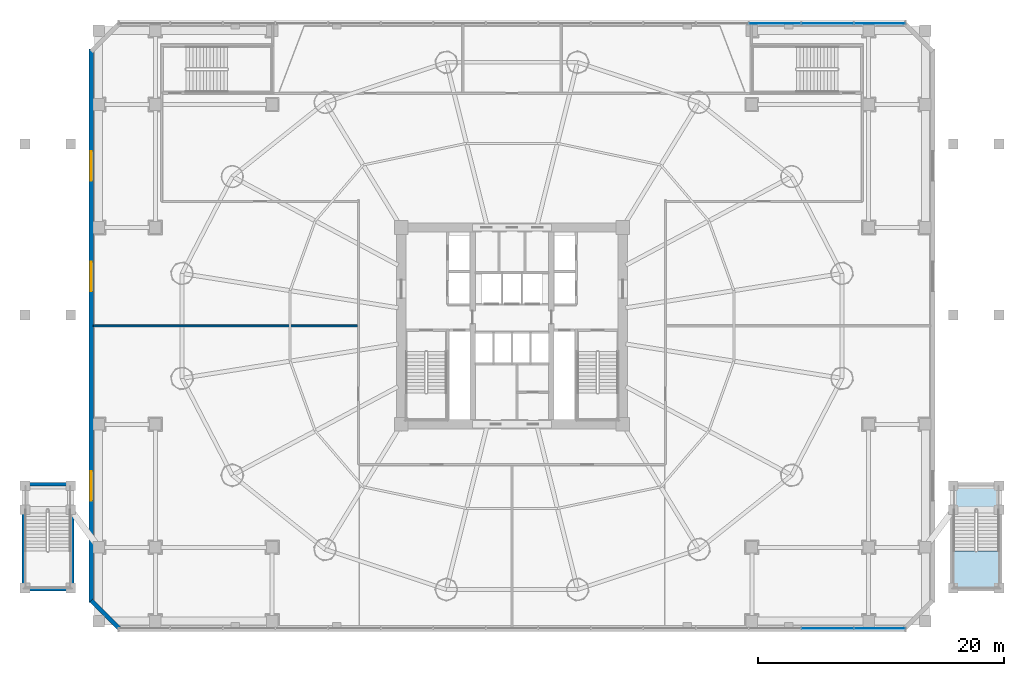
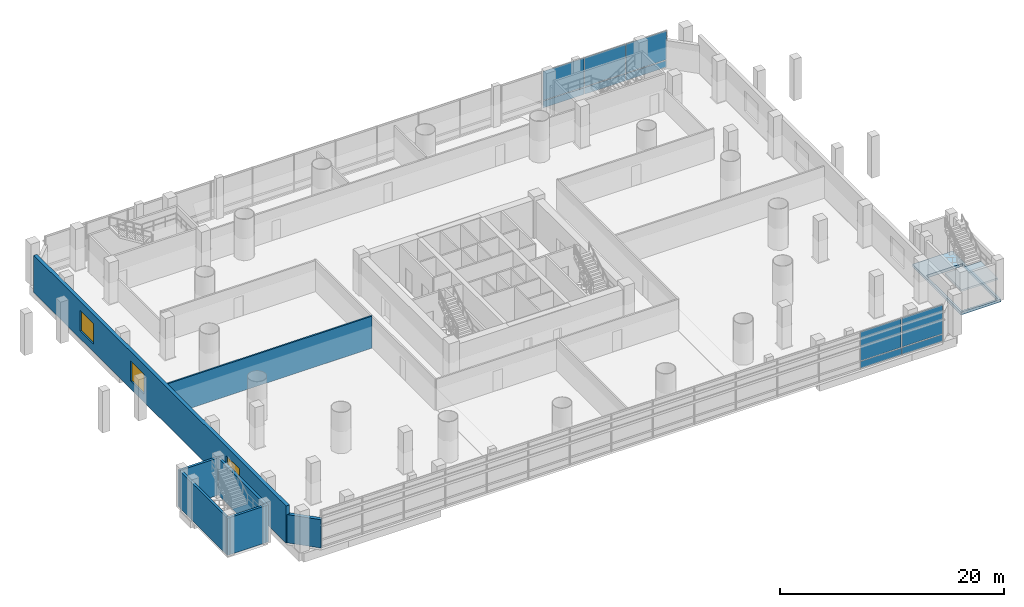
# One storey, part 20 of 36: 10 plates, 7 walls, 3 windows, 2 slabs, 3 openings, 3 elements without a shape of their own.
"""IFC4 building model written with IfcOpenShell, lengths in metres."""

from ifc_helpers import new_model, si_unit, direction, frame, frame_2d, origin, origin_2d, place, context, subcontext, project, spatial, polyline, rectangle, outline, extrude, source, transform, mapped, material, layer, layer_set, type_object, element, fill, aggregate, save


model = new_model("IFC4")

# Units and contexts
model_context = context("Model", 3, precision=1e-05, world=origin(), true_north=direction((-0.2419218956, 0.970295726276)))
body_context = subcontext(model_context, "Body", "Model", "MODEL_VIEW")
ifc_project = project(units=[si_unit("LENGTHUNIT", "METRE"), si_unit("AREAUNIT", "SQUARE_METRE"), si_unit("VOLUMEUNIT", "CUBIC_METRE"), si_unit("PLANEANGLEUNIT", "RADIAN"), si_unit("MASSUNIT", "GRAM", prefix="KILO")], contexts=[model_context])

# Site, building, storey
site_placement = place(None, origin())
site = spatial("IfcSite", under=ifc_project, at=site_placement, CompositionType="ELEMENT")
building_placement = place(site_placement, origin())
building = spatial("IfcBuilding", under=site, at=building_placement, Name="Cobrevalo Terracotta Tower", CompositionType="ELEMENT")
storey_placement = place(building_placement, frame((0.0, 0.0, 14.39990234375)))
storey = spatial("IfcBuildingStorey", under=building, at=storey_placement, Name="L03", CompositionType="ELEMENT", Elevation=14.39990234375)

# Slab
ifc_material_1 = material(Name="Concrete C50", Category="concrete")
ifc_layer_1 = layer(ifc_material_1, 0.300048828125)
ifc_layer_set_1 = layer_set([ifc_layer_1], Name="Concrete C50")
slab_type_1 = type_object("IfcSlabType", Name="Podium L01-L03 floor slab 300 mm", PredefinedType="FLOOR", material=ifc_layer_set_1)
slab_1_placement = place(storey_placement, frame((0.0, 0.0, -0.2998046875)))
element("IfcSlab", 1, at=slab_1_placement, inside=storey, type_object=slab_type_1, Name="L03 East monumental raised-garden stair structural floor landing slab", PredefinedType="FLOOR", context=body_context, shape_type="SweptSolid", body=[
    extrude(outline(polyline([(73.679931640625, 13.949951171875), (77.800048828125, 13.949951171875), (77.800048828125, 5.300048828125), (73.679931640625, 5.300048828125), (73.679931640625, 13.949951171875)]), holes=[polyline([(73.8798828125, 5.5), (77.60009765625, 5.5), (77.60009765625, 11.800048828125), (73.8798828125, 11.800048828125), (73.8798828125, 5.5)])]), origin(), (0.0, 0.0, 1.0), 0.2998046875),
])

# Stair, slab
ifc_material_2 = material(Name="Precast concrete C45", Category="concrete")
stair_type = type_object("IfcStairType", Name="Monumental raised-garden dogleg stair 1850", PredefinedType="HALF_TURN_STAIR", material=ifc_material_2)
stair_placement = place(storey_placement, origin())
stair = element("IfcStair", 2, at=stair_placement, inside=storey, type_object=stair_type, Name="L03 East monumental raised-garden stair", PredefinedType="HALF_TURN_STAIR")
ifc_layer_2 = layer(ifc_material_1, 0.199951171875)
ifc_layer_set_2 = layer_set([ifc_layer_2], Name="Concrete C50")
slab_type_2 = type_object("IfcSlabType", Name="Reinforced Concrete Stair Landing 200", PredefinedType="LANDING", material=ifc_layer_set_2)
slab_2_placement = place(storey_placement, frame((0.0, 0.0, 2.050048828125)))
slab_2 = element("IfcSlab", 3, at=slab_2_placement, type_object=slab_type_2, Name="ST-EXT-E landing 1", PredefinedType="LANDING", context=body_context, shape_type="SweptSolid", body=[
    extrude(outline(polyline([(73.8798828125, 8.489990234375), (73.8798828125, 5.5), (77.60009765625, 5.5), (77.60009765625, 8.489990234375), (73.8798828125, 8.489990234375)])), origin(), (0.0, 0.0, 1.0), 0.199951171875),
])
aggregate(stair, [slab_2])

# Curtain wall, plate
ifc_material_3 = material(Name="Anodized aluminium", Category="aluminium")
curtain_wall_type = type_object("IfcCurtainWallType", Name="Podium gallery & conservatory curtain wall CW-S2", PredefinedType="NOTDEFINED", material=ifc_material_3)
curtain_wall_1_placement = place(storey_placement, origin())
curtain_wall_1 = element("IfcCurtainWall", 4, at=curtain_wall_1_placement, inside=storey, type_object=curtain_wall_type, Name="L03 curtain wall CW-POD-L03-S", PredefinedType="NOTDEFINED")
ifc_material_4 = material(Name="Terracotta-faced insulated spandrel", Category="masonry")
ifc_layer_3 = layer(ifc_material_4, 0.044921875)
ifc_layer_set_3 = layer_set([ifc_layer_3], Name="Terracotta-faced insulated spandrel")
plate_type_1 = type_object("IfcPlateType", Name="Insulated terracotta-faced spandrel cassette 45 mm", PredefinedType="CURTAIN_PANEL", material=ifc_layer_set_3)
shared_shape_1 = source(origin(), body_context, "Body", "SweptSolid", [
    extrude(rectangle(XDim=4.1533203125, YDim=0.044921875, at=origin_2d()), origin(), (0.0, 0.0, 1.0), 0.739990234375),
])
plate_1_placement = place(storey_placement, frame((67.893310546875, 2.199951171875, 0.0400390625), z_axis=(0.0, 0.0, 1.0), x_axis=(1.0, 0.0, 0.0)))
plate_1 = element("IfcPlate", 5, at=plate_1_placement, type_object=plate_type_1, Name="CW-POD-L03-S terracotta spandrel panel B15", PredefinedType="CURTAIN_PANEL", context=body_context, shape_type="MappedRepresentation", body=[
    mapped(shared_shape_1, transform((0.0, 0.0, 0.0), scale=1.0)),
])

curtain_wall_2_placement = place(storey_placement, origin())
curtain_wall_2 = element("IfcCurtainWall", 6, at=curtain_wall_2_placement, inside=storey, type_object=curtain_wall_type, Name="L03 curtain wall CW-POD-L03-N", PredefinedType="NOTDEFINED")
plate_2_placement = place(storey_placement, frame((67.893310546875, 51.39990234375, 0.0400390625), z_axis=(0.0, 0.0, 1.0), x_axis=(-1.0, 0.0, 0.0)))
plate_2 = element("IfcPlate", 7, at=plate_2_placement, type_object=plate_type_1, Name="CW-POD-L03-N terracotta spandrel panel B01", PredefinedType="CURTAIN_PANEL", context=body_context, shape_type="MappedRepresentation", body=[
    mapped(shared_shape_1, transform((0.0, 0.0, 0.0), scale=1.0)),
])

# Plate
shared_shape_2 = source(origin(), body_context, "Body", "SweptSolid", [
    extrude(rectangle(XDim=4.193359375, YDim=0.044921875, at=origin_2d()), origin(), (0.0, 0.0, 1.0), 0.739990234375),
])
plate_3_placement = place(storey_placement, frame((63.639892578125, 2.199951171875, 0.0400390625), z_axis=(0.0, 0.0, 1.0), x_axis=(1.0, 0.0, 0.0)))
plate_3 = element("IfcPlate", 8, at=plate_3_placement, type_object=plate_type_1, Name="CW-POD-L03-S terracotta spandrel panel B14", PredefinedType="CURTAIN_PANEL", context=body_context, shape_type="MappedRepresentation", body=[
    mapped(shared_shape_2, transform((0.0, 0.0, 0.0), scale=1.0)),
])

plate_4_placement = place(storey_placement, frame((63.639892578125, 51.39990234375, 0.0400390625), z_axis=(0.0, 0.0, 1.0), x_axis=(-1.0, 0.0, 0.0)))
plate_4 = element("IfcPlate", 9, at=plate_4_placement, type_object=plate_type_1, Name="CW-POD-L03-N terracotta spandrel panel B02", PredefinedType="CURTAIN_PANEL", context=body_context, shape_type="MappedRepresentation", body=[
    mapped(shared_shape_2, transform((0.0, 0.0, 0.0), scale=1.0)),
])

plate_5_placement = place(storey_placement, frame((59.36669921875, 51.39990234375, 0.0400390625), z_axis=(0.0, 0.0, 1.0), x_axis=(-1.0, 0.0, 0.0)))
plate_5 = element("IfcPlate", 10, at=plate_5_placement, type_object=plate_type_1, Name="CW-POD-L03-N terracotta spandrel panel B03", PredefinedType="CURTAIN_PANEL", context=body_context, shape_type="MappedRepresentation", body=[
    mapped(shared_shape_2, transform((0.0, 0.0, 0.0), scale=1.0)),
])

ifc_material_5 = material(Name="Laminated low-E double glazing", Category="glass")
ifc_layer_4 = layer(ifc_material_5, 0.031982421875)
ifc_layer_set_4 = layer_set([ifc_layer_4], Name="Laminated low-E double glazing")
plate_type_2 = type_object("IfcPlateType", Name="Podium clear acoustic laminated glazing panel 32 mm", PredefinedType="CURTAIN_PANEL", material=ifc_layer_set_4)
shared_shape_3 = source(origin(), body_context, "Body", "SweptSolid", [
    extrude(rectangle(XDim=4.1533203125, YDim=0.035888671875, at=origin_2d()), origin(), (0.0, 0.0, 1.0), 3.14990234375),
])
plate_6_placement = place(storey_placement, frame((67.893310546875, 2.199951171875, 0.860107421875), z_axis=(0.0, 0.0, 1.0), x_axis=(1.0, 0.0, 0.0)))
plate_6 = element("IfcPlate", 11, at=plate_6_placement, type_object=plate_type_2, Name="CW-POD-L03-S glazing panel B15", PredefinedType="CURTAIN_PANEL", context=body_context, shape_type="MappedRepresentation", body=[
    mapped(shared_shape_3, transform((0.0, 0.0, 0.0), scale=1.0)),
])

plate_7_placement = place(storey_placement, frame((67.893310546875, 51.39990234375, 0.860107421875), z_axis=(0.0, 0.0, 1.0), x_axis=(-1.0, 0.0, 0.0)))
plate_7 = element("IfcPlate", 12, at=plate_7_placement, type_object=plate_type_2, Name="CW-POD-L03-N glazing panel B01", PredefinedType="CURTAIN_PANEL", context=body_context, shape_type="MappedRepresentation", body=[
    mapped(shared_shape_3, transform((0.0, 0.0, 0.0), scale=1.0)),
])

shared_shape_4 = source(origin(), body_context, "Body", "SweptSolid", [
    extrude(rectangle(XDim=4.193359375, YDim=0.035888671875, at=origin_2d()), origin(), (0.0, 0.0, 1.0), 3.14990234375),
])
plate_8_placement = place(storey_placement, frame((63.639892578125, 2.199951171875, 0.860107421875), z_axis=(0.0, 0.0, 1.0), x_axis=(1.0, 0.0, 0.0)))
plate_8 = element("IfcPlate", 13, at=plate_8_placement, type_object=plate_type_2, Name="CW-POD-L03-S glazing panel B14", PredefinedType="CURTAIN_PANEL", context=body_context, shape_type="MappedRepresentation", body=[
    mapped(shared_shape_4, transform((0.0, 0.0, 0.0), scale=1.0)),
])

aggregate(curtain_wall_1, [plate_3, plate_8, plate_1, plate_6])

plate_9_placement = place(storey_placement, frame((63.639892578125, 51.39990234375, 0.860107421875), z_axis=(0.0, 0.0, 1.0), x_axis=(-1.0, 0.0, 0.0)))
plate_9 = element("IfcPlate", 14, at=plate_9_placement, type_object=plate_type_2, Name="CW-POD-L03-N glazing panel B02", PredefinedType="CURTAIN_PANEL", context=body_context, shape_type="MappedRepresentation", body=[
    mapped(shared_shape_4, transform((0.0, 0.0, 0.0), scale=1.0)),
])

plate_10_placement = place(storey_placement, frame((59.36669921875, 51.39990234375, 0.860107421875), z_axis=(0.0, 0.0, 1.0), x_axis=(-1.0, 0.0, 0.0)))
plate_10 = element("IfcPlate", 15, at=plate_10_placement, type_object=plate_type_2, Name="CW-POD-L03-N glazing panel B03", PredefinedType="CURTAIN_PANEL", context=body_context, shape_type="MappedRepresentation", body=[
    mapped(shared_shape_4, transform((0.0, 0.0, 0.0), scale=1.0)),
])

aggregate(curtain_wall_2, [plate_2, plate_7, plate_4, plate_9, plate_5, plate_10])

# Wall, openings, windows
ifc_material_6 = material(Name="Concrete C45", Category="concrete")
ifc_layer_5 = layer(ifc_material_6, 0.35009765625)
ifc_layer_set_5 = layer_set([ifc_layer_5], Name="Concrete C45")
wall_type_1 = type_object("IfcWallType", Name="Board-marked precast architectural concrete facade wall 350 mm", PredefinedType="SOLIDWALL", material=ifc_layer_set_5)
wall_1_placement = place(storey_placement, frame((3.800048828125, 49.300048828125, 0.0), z_axis=(0.0, 0.0, 1.0), x_axis=(0.0, -1.0, 0.0)))
wall_1 = element("IfcWall", 16, at=wall_1_placement, inside=storey, type_object=wall_type_1, Name="L03 west podium facade wall", PredefinedType="SOLIDWALL", context=body_context, shape_type="SweptSolid", body=[
    extrude(rectangle(XDim=45.0, YDim=0.35009765625, at=frame_2d((22.5, 0.0))), origin(), (0.0, 0.0, 1.0), 4.050048828125),
])
opening_1_placement = place(wall_1_placement, frame((8.300048828125, 0.0, 0.85009765625)))
opening_1 = element("IfcOpeningElement", 17, at=opening_1_placement, cuts=wall_1, Name="Opening WN-09", PredefinedType="OPENING", context=body_context, shape_type="SweptSolid", body=[
    extrude(rectangle(XDim=2.39990234375, YDim=2.199951171875, at=frame_2d((1.199951171875, 1.10009765625))), frame((0.0, 0.18505859375, 0.0), z_axis=(0.0, -1.0, 0.0), x_axis=(1.0, 0.0, 0.0)), (0.0, 0.0, 1.0), 0.3701171875),
])
opening_2_placement = place(wall_1_placement, frame((17.300048828125, 0.0, 0.85009765625)))
opening_2 = element("IfcOpeningElement", 18, at=opening_2_placement, cuts=wall_1, Name="Opening WN-09", PredefinedType="OPENING", context=body_context, shape_type="SweptSolid", body=[
    extrude(rectangle(XDim=2.39990234375, YDim=2.199951171875, at=frame_2d((1.199951171875, 1.10009765625))), frame((0.0, 0.18505859375, 0.0), z_axis=(0.0, -1.0, 0.0), x_axis=(1.0, 0.0, 0.0)), (0.0, 0.0, 1.0), 0.3701171875),
])
opening_3_placement = place(wall_1_placement, frame((34.300048828125, 0.0, 0.85009765625)))
opening_3 = element("IfcOpeningElement", 19, at=opening_3_placement, cuts=wall_1, Name="Opening WN-09", PredefinedType="OPENING", context=body_context, shape_type="SweptSolid", body=[
    extrude(rectangle(XDim=2.39990234375, YDim=2.199951171875, at=frame_2d((1.199951171875, 1.10009765625))), frame((0.0, 0.18505859375, 0.0), z_axis=(0.0, -1.0, 0.0), x_axis=(1.0, 0.0, 0.0)), (0.0, 0.0, 1.0), 0.3701171875),
])
ifc_material_7 = material(Name="Solar-control low-E double glazing", Category="glass")
window_type = type_object("IfcWindowType", Name="Podium upper gallery bronze-anodized window 2400x2200", PartitioningType="SINGLE_PANEL", PredefinedType="WINDOW", material=ifc_material_7)
shared_shape_5 = source(origin(), body_context, "Body", "SweptSolid", [
    extrude(rectangle(XDim=2.39990234375, YDim=2.199951171875, at=frame_2d((1.199951171875, 1.10009765625))), frame((0.0, 0.030029296875, 0.0), z_axis=(0.0, -1.0, 0.0), x_axis=(1.0, 0.0, 0.0)), (0.0, 0.0, 1.0), 0.06005859375),
])
window_1_placement = place(opening_1_placement, origin())
window_1 = element("IfcWindow", 20, at=window_1_placement, inside=storey, type_object=window_type, Name="L03 west gallery window 1", OverallHeight=2.199951171875, OverallWidth=2.39990234375, PartitioningType="SINGLE_PANEL", PredefinedType="WINDOW", context=body_context, shape_type="MappedRepresentation", body=[
    mapped(shared_shape_5, transform((0.0, 0.0, 0.0), scale=1.0)),
])
fill(opening_1, window_1)
window_2_placement = place(opening_2_placement, origin())
window_2 = element("IfcWindow", 21, at=window_2_placement, inside=storey, type_object=window_type, Name="L03 west gallery window 2", OverallHeight=2.199951171875, OverallWidth=2.39990234375, PartitioningType="SINGLE_PANEL", PredefinedType="WINDOW", context=body_context, shape_type="MappedRepresentation", body=[
    mapped(shared_shape_5, transform((0.0, 0.0, 0.0), scale=1.0)),
])
fill(opening_2, window_2)
window_3_placement = place(opening_3_placement, origin())
window_3 = element("IfcWindow", 22, at=window_3_placement, inside=storey, type_object=window_type, Name="L03 west gallery window 3", OverallHeight=2.199951171875, OverallWidth=2.39990234375, PartitioningType="SINGLE_PANEL", PredefinedType="WINDOW", context=body_context, shape_type="MappedRepresentation", body=[
    mapped(shared_shape_5, transform((0.0, 0.0, 0.0), scale=1.0)),
])
fill(opening_3, window_3)

# Walls
wall_2_placement = place(storey_placement, frame((3.800048828125, 4.47998046875, 0.0), z_axis=(0.0, 0.0, 1.0), x_axis=(0.707106781187, -0.707106781187, 0.0)))
element("IfcWall", 23, at=wall_2_placement, inside=storey, type_object=wall_type_1, Name="L03 chamfered corner pier SW", PredefinedType="SOLIDWALL", context=body_context, shape_type="SweptSolid", body=[
    extrude(rectangle(XDim=3.224365234375, YDim=0.35009765625, at=frame_2d((1.6123046875, 0.0))), origin(), (0.0, 0.0, 1.0), 3.085205078125),
])
ifc_layer_6 = layer(ifc_material_1, 0.25)
ifc_layer_set_6 = layer_set([ifc_layer_6], Name="Concrete C50")
wall_type_2 = type_object("IfcWallType", Name="Exterior raised-garden stair shaft RC wall 250 mm Concrete C50", PredefinedType="SOLIDWALL", material=ifc_layer_set_6)
for number, where, z_axis, x_axis, name in (
    (24, (-1.72509765625, 5.25, 0.0), (0.0, 0.0, 1.0), (0.0, 1.0, 0.0), "L03 West monumental raised-garden stair structural shaft wall W"),
    (25, (2.2451171875, 5.25, 0.0), (0.0, 0.0, 1.0), (0.0, 1.0, 0.0), "L03 West monumental raised-garden stair structural shaft wall E"),
):
    element("IfcWall", number, at=place(storey_placement, frame(where, z_axis=z_axis, x_axis=x_axis)), inside=storey, type_object=wall_type_2, Name=name, PredefinedType="SOLIDWALL", context=body_context, shape_type="SweptSolid", body=[
        extrude(rectangle(XDim=8.675048828125, YDim=0.25, at=frame_2d((4.33740234375, 0.0))), origin(), (0.0, 0.0, 1.0), 4.050048828125),
    ])
for number, where, z_axis, x_axis, name in (
    (26, (-1.85009765625, 5.375, 0.0), (0.0, 0.0, 1.0), (1.0, 0.0, 0.0), "L03 West monumental raised-garden stair structural shaft wall S"),
    (27, (-1.85009765625, 13.925048828125, 0.0), (0.0, 0.0, 1.0), (1.0, 0.0, 0.0), "L03 West monumental raised-garden stair structural shaft wall N"),
):
    element("IfcWall", number, at=place(storey_placement, frame(where, z_axis=z_axis, x_axis=x_axis)), inside=storey, type_object=wall_type_2, Name=name, PredefinedType="SOLIDWALL", context=body_context, shape_type="SweptSolid", body=[
        extrude(rectangle(XDim=4.22021484375, YDim=0.25, at=frame_2d((2.110107421875, 0.0))), origin(), (0.0, 0.0, 1.0), 4.050048828125),
    ])
ifc_material_8 = material(Name="Gypsum board on steel stud", Category="steel")
ifc_layer_7 = layer(ifc_material_8, 0.159912109375)
ifc_layer_set_7 = layer_set([ifc_layer_7], Name="Gypsum board on steel stud")
wall_type_3 = type_object("IfcWallType", Name="Fire-rated corridor acoustic partition wall 160 mm", PredefinedType="PARTITIONING", material=ifc_layer_set_7)
wall_3_placement = place(storey_placement, frame((3.9599609375, 26.800048828125, 0.0), z_axis=(0.0, 0.0, 1.0), x_axis=(1.0, 0.0, 0.0)))
element("IfcWall", 28, at=wall_3_placement, inside=storey, type_object=wall_type_3, Name="L03 interior partition IW-L03-PW-M", PredefinedType="PARTITIONING", context=body_context, shape_type="SweptSolid", body=[
    extrude(rectangle(XDim=21.47802734375, YDim=0.159912109375, at=frame_2d((10.739013671875, 0.0))), origin(), (0.0, 0.0, 1.0), 3.4921875),
])

save(model, "model.ifc")
